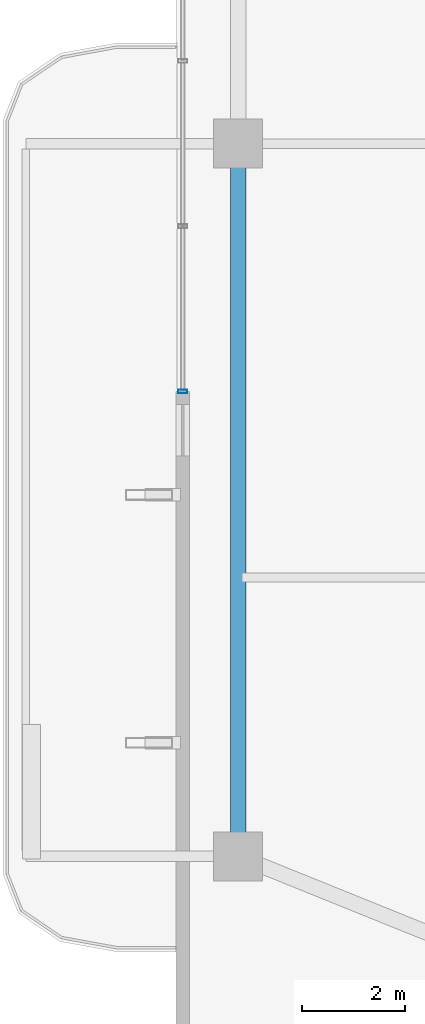
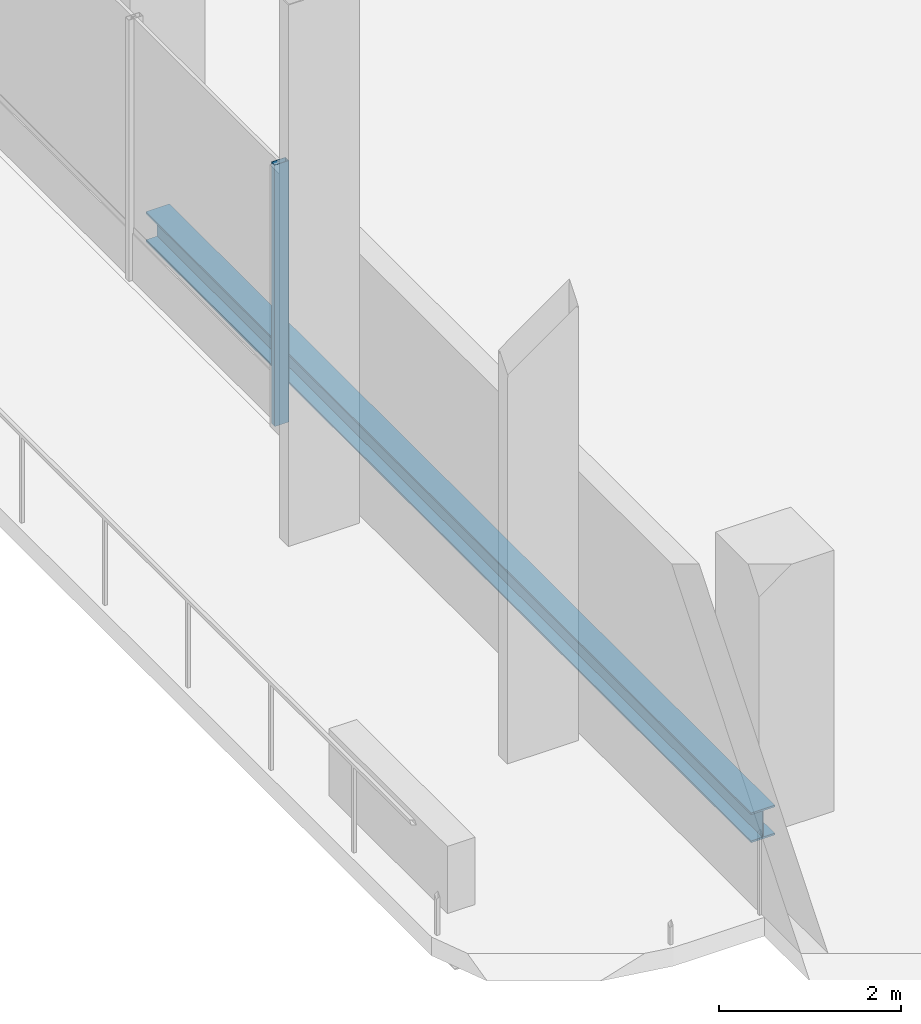
# One storey, part 4 of 25: 1 beam, 1 member, 1 element without a shape of its own.
"""IFC4 building model written with IfcOpenShell, lengths in metres."""

import ifcopenshell
import ifcopenshell.guid

model = None  # the IFC model being written
_history = None  # IfcOwnerHistory: only IFC2X3 demands one
_inside = {}  # id of a spatial element -> (the spatial element, [elements in it])
_under = {}  # id of a project, library or spatial element -> (it, [spatial elements below it])
_declared = {}  # id of a project -> (the project, [libraries it declares])
_typed = {}  # id of a type object -> (the type object, [elements of that type])
_made_of = {}  # id of a material, layer set ... -> (it, [elements and type objects made of it])


def new_model(schema):
    """Start an empty IFC model of exactly this schema.

    Asked for "IFC4X3", IfcOpenShell would pick the latest addendum, in which some entities
    have other attributes; the version numbers below select the first issue.
    IFC2X3 requires an IfcOwnerHistory on every rooted entity: one is made here for all.
    """
    global model, _history
    if schema == "IFC4X3":
        model = ifcopenshell.file(schema_version=(4, 3, 0, 0))
    else:
        model = ifcopenshell.file(schema=schema)
    _inside.clear()
    _under.clear()
    _declared.clear()
    _typed.clear()
    _made_of.clear()
    _history = None
    if model.schema == "IFC2X3":
        org = make("IfcOrganization", Name="unknown")
        user = make(
            "IfcPersonAndOrganization",
            ThePerson=make("IfcPerson", FamilyName="unknown"),
            TheOrganization=org,
        )
        app = make(
            "IfcApplication",
            ApplicationDeveloper=org,
            Version="unknown",
            ApplicationFullName="unknown",
            ApplicationIdentifier="unknown",
        )
        _history = make(
            "IfcOwnerHistory",
            OwningUser=user,
            OwningApplication=app,
            ChangeAction="ADDED",
            CreationDate=0,
        )
    return model


def make(cls, **values):
    """One entity of the class cls with the attributes given. An attribute that is None is left unset."""
    return model.create_entity(
        cls, **{name: value for name, value in values.items() if value is not None}
    )


def rooted(cls, **values):
    """An entity with a GlobalId (a new one), such as an element, a storey or a relation."""
    return make(cls, GlobalId=ifcopenshell.guid.new(), OwnerHistory=_history, **values)


def si_unit(unit_type, name, prefix=None):
    """IfcSIUnit, for example si_unit("LENGTHUNIT", "METRE", prefix="MILLI")."""
    return make("IfcSIUnit", UnitType=unit_type, Prefix=prefix, Name=name)


def assignment(units):
    """IfcUnitAssignment: the units of a project."""
    return None if units is None else make("IfcUnitAssignment", Units=units)


def point(xyz):
    """IfcCartesianPoint."""
    return None if xyz is None else make("IfcCartesianPoint", Coordinates=xyz)


def direction(xyz):
    """IfcDirection."""
    return None if xyz is None else make("IfcDirection", DirectionRatios=xyz)


def frame(location, z_axis=None, x_axis=None):
    """IfcAxis2Placement3D, a coordinate frame: its origin and axes. An axis left out is left unset."""
    return make(
        "IfcAxis2Placement3D",
        Location=point(location),
        Axis=direction(z_axis),
        RefDirection=direction(x_axis),
    )


def frame_2d(location, x_axis=None):
    """IfcAxis2Placement2D, a coordinate frame in the plane: its origin and x axis."""
    return make(
        "IfcAxis2Placement2D", Location=point(location), RefDirection=direction(x_axis)
    )


def origin():
    """The frame at (0, 0, 0) with its axes left unset."""
    return frame((0.0, 0.0, 0.0))


def origin_2d():
    """The frame at (0, 0) in the plane with its x axis left unset."""
    return frame_2d((0.0, 0.0))


def place(relative_to, where):
    """IfcLocalPlacement: puts the frame where relative to a parent placement (None: the world)."""
    return make(
        "IfcLocalPlacement", PlacementRelTo=relative_to, RelativePlacement=where
    )


def context(
    kind, dimensions, precision=None, world=None, true_north=None, identifier=None
):
    """IfcGeometricRepresentationContext, for example the 3D "Model" context."""
    return make(
        "IfcGeometricRepresentationContext",
        ContextIdentifier=identifier,
        ContextType=kind,
        CoordinateSpaceDimension=dimensions,
        Precision=precision,
        WorldCoordinateSystem=world,
        TrueNorth=true_north,
    )


def subcontext(parent, identifier, kind, view, scale=None):
    """IfcGeometricRepresentationSubContext, for example "Body" below "Model"."""
    return make(
        "IfcGeometricRepresentationSubContext",
        ContextIdentifier=identifier,
        ContextType=kind,
        ParentContext=parent,
        TargetScale=scale,
        TargetView=view,
    )


def project(units=None, contexts=None):
    """IfcProject with its units and contexts."""
    return rooted(
        "IfcProject",
        Name="project",
        RepresentationContexts=contexts,
        UnitsInContext=assignment(units),
    )


def spatial(cls, under=None, at=None, **own):
    """A site, building, storey or space (cls), placed at a placement, below another one or the project."""
    s = rooted(cls, ObjectPlacement=at, **own)
    if under is not None:
        _under.setdefault(under.id(), (under, []))[1].append(s)
    return s


def profile(cls, at=None, kind="AREA", **sizes):
    """A parametric profile (cls). Its sizes go by their IFC names, for example OverallWidth=200.0."""
    return make(cls, ProfileType=kind, Position=at, **sizes)


def hollow_rectangle(**sizes):
    """IfcRectangleHollowProfileDef."""
    return profile("IfcRectangleHollowProfileDef", **sizes)


def i_section(**sizes):
    """IfcIShapeProfileDef."""
    return profile("IfcIShapeProfileDef", **sizes)


def extrude(swept, where, along, depth):
    """IfcExtrudedAreaSolid: the profile swept, set in the frame where, extruded along a direction by depth."""
    return make(
        "IfcExtrudedAreaSolid",
        SweptArea=swept,
        Position=where,
        ExtrudedDirection=direction(along),
        Depth=depth,
    )


def shape(context_of_items, identifier, shape_type, items):
    """IfcShapeRepresentation: the items that make up one representation, for example the "Body"."""
    return make(
        "IfcShapeRepresentation",
        ContextOfItems=context_of_items,
        RepresentationIdentifier=identifier,
        RepresentationType=shape_type,
        Items=items,
    )


def material(Name=None, Category=None):
    """IfcMaterial."""
    return make("IfcMaterial", Name=Name, Category=Category)


def layer(
    of_material, thickness, ventilated=None, Name=None, Category=None, Priority=None
):
    """IfcMaterialLayer: one layer of a wall or slab, of a material (None: an air gap)."""
    return make(
        "IfcMaterialLayer",
        Material=of_material,
        LayerThickness=thickness,
        IsVentilated=ventilated,
        Name=Name,
        Category=Category,
        Priority=Priority,
    )


def layer_set(layers, Name=None):
    """IfcMaterialLayerSet."""
    return make("IfcMaterialLayerSet", MaterialLayers=layers, LayerSetName=Name)


def material_profile(
    of_material, cross_section, Name=None, Category=None, Priority=None
):
    """IfcMaterialProfile: a cross section and its material."""
    return make(
        "IfcMaterialProfile",
        Name=Name,
        Material=of_material,
        Profile=cross_section,
        Priority=Priority,
        Category=Category,
    )


def profile_set(profiles, Name=None, composite=None):
    """IfcMaterialProfileSet."""
    return make(
        "IfcMaterialProfileSet",
        Name=Name,
        MaterialProfiles=profiles,
        CompositeProfile=composite,
    )


def made_of(thing, what):
    """Note that an element or type object is made of a material, layer set ...; save() writes the relation."""
    if what is not None:
        _made_of.setdefault(what.id(), (what, []))[1].append(thing)
    return thing


def type_object(cls, material=None, **own):
    """A type object (cls), such as IfcWallType, which elements share."""
    return made_of(rooted(cls, **own), material)


def element(
    cls,
    number,
    at=None,
    inside=None,
    cuts=None,
    type_object=None,
    material=None,
    context=None,
    identifier="Body",
    shape_type=None,
    held_by="IfcProductDefinitionShape",
    body=None,
    shapes=None,
    **own,
):
    """One element of the class cls, such as IfcWall. Its Tag is "e" and its number.

    at: its placement. inside: the storey or other place that contains it. cuts: it is an
    opening in that element (IfcRelVoidsElement). A single representation is given by context,
    identifier, shape_type and body (its items); several are given by shapes. held_by: the class
    of the entity that holds the representations. save() writes the other relations.
    """
    e = rooted(cls, Tag="e%d" % number, ObjectPlacement=at, **own)
    if body is not None:
        shapes = [shape(context, identifier, shape_type, body)]
    if shapes is not None:
        e.Representation = make(held_by, Representations=shapes)
    if inside is not None:
        _inside.setdefault(inside.id(), (inside, []))[1].append(e)
    if cuts is not None:
        rooted(
            "IfcRelVoidsElement", RelatingBuildingElement=cuts, RelatedOpeningElement=e
        )
    if type_object is not None:
        _typed.setdefault(type_object.id(), (type_object, []))[1].append(e)
    return made_of(e, material)


def aggregate(whole, parts):
    """IfcRelAggregates: a whole, such as a stair, and the parts it consists of."""
    return rooted("IfcRelAggregates", RelatingObject=whole, RelatedObjects=parts)


def save(model, path):
    """Write the relations noted so far, then the file.

    IfcRelAggregates (storeys below a building ...), IfcRelContainedInSpatialStructure (elements
    in a storey), IfcRelDefinesByType, IfcRelAssociatesMaterial and IfcRelDeclares: one each for
    every whole, place, type object, material and project.
    """
    for whole, parts in _under.values():
        aggregate(whole, parts)
    for where, things in _inside.values():
        rooted(
            "IfcRelContainedInSpatialStructure",
            RelatedElements=things,
            RelatingStructure=where,
        )
    for kind, things in _typed.values():
        rooted("IfcRelDefinesByType", RelatedObjects=things, RelatingType=kind)
    for what, things in _made_of.values():
        rooted("IfcRelAssociatesMaterial", RelatedObjects=things, RelatingMaterial=what)
    for by, libraries in _declared.values():
        rooted("IfcRelDeclares", RelatingContext=by, RelatedDefinitions=libraries)
    model.write(path)


model = new_model("IFC4")

# Units and contexts
model_context = context("Model", 3, precision=1e-05, world=origin(), true_north=direction((0.0, 1.0)))
body_context = subcontext(model_context, "Body", "Model", "MODEL_VIEW")
ifc_project = project(units=[si_unit("LENGTHUNIT", "METRE"), si_unit("AREAUNIT", "SQUARE_METRE"), si_unit("VOLUMEUNIT", "CUBIC_METRE"), si_unit("PLANEANGLEUNIT", "RADIAN"), si_unit("MASSUNIT", "GRAM", prefix="KILO")], contexts=[model_context])

# Site, building, storey
site_placement = place(None, origin())
site = spatial("IfcSite", under=ifc_project, at=site_placement, CompositionType="ELEMENT")
building_placement = place(site_placement, origin())
building = spatial("IfcBuilding", under=site, at=building_placement, Name="Belovzor Exchange Tower", CompositionType="ELEMENT")
storey_placement = place(building_placement, frame((0.0, 0.0, 250.35009765625)))
storey = spatial("IfcBuildingStorey", under=building, at=storey_placement, Name="L62", CompositionType="ELEMENT", Elevation=250.35009765625)

# Curtain wall, member
ifc_material_1 = material(Name="Anodised Aluminium Framing", Category="aluminium")
ifc_layer = layer(ifc_material_1, 0.179931640625)
ifc_layer_set = layer_set([ifc_layer], Name="Anodised Aluminium Framing")
curtain_wall_type = type_object("IfcCurtainWallType", Name="Recessed Loggia Low-Iron Triple-Glazed Curtain Wall", PredefinedType="NOTDEFINED", material=ifc_layer_set)
curtain_wall_placement = place(storey_placement, origin())
curtain_wall = element("IfcCurtainWall", 1, at=curtain_wall_placement, inside=storey, type_object=curtain_wall_type, Name="CW3 Recessed Loggia Low-Iron Triple-Glazed Curtain Wall L62", PredefinedType="NOTDEFINED")
ifc_material_2 = material(Name="Steel S355", Category="steel")
ifc_material_profile_1 = material_profile(ifc_material_2, hollow_rectangle(XDim=0.074951171875, YDim=0.179931640625, WallThickness=0.0048828125, at=origin_2d()))
ifc_profile_set_1 = profile_set([ifc_material_profile_1], Name="Steel S355")
member_type = type_object("IfcMemberType", Name="Thermally Broken Curtain Wall Mullion 180x75", PredefinedType="MULLION", material=ifc_profile_set_1)
member_placement = place(storey_placement, frame((4.030029296875, 24.0, 0.0), z_axis=(0.0, 0.0, 1.0), x_axis=(0.0, 1.0, 0.0)))
member = element("IfcMember", 2, at=member_placement, type_object=member_type, Name="CW-M180 Curtain Wall Mullion 1", PredefinedType="MULLION", context=body_context, shape_type="SweptSolid", body=[
    extrude(hollow_rectangle(XDim=0.074951171875, YDim=0.179931640625, WallThickness=0.0048828125, at=origin_2d()), origin(), (0.0, 0.0, 1.0), 3.5),
])
aggregate(curtain_wall, [member])

# Beam
ifc_material_3 = material(Name="Steel S355", Category="steel")
ifc_material_profile_2 = material_profile(ifc_material_3, i_section(OverallWidth=0.300048828125, OverallDepth=0.39990234375, WebThickness=0.013427734375, FlangeThickness=0.02392578125, at=origin_2d()))
ifc_profile_set_2 = profile_set([ifc_material_profile_2], Name="Steel S355")
beam_type = type_object("IfcBeamType", Name="Zone 5 Primary Girder HEB 400", PredefinedType="BEAM", material=ifc_profile_set_2)
beam_placement = place(storey_placement, frame((5.10009765625, 28.5390625, -0.4501953125), z_axis=(0.0, -1.0, 0.0), x_axis=(1.0, 0.0, 0.0)))
element("IfcBeam", 3, at=beam_placement, inside=storey, type_object=beam_type, Name="FG-Z5 Zone 5 Primary Girder HEB 400", PredefinedType="BEAM", context=body_context, shape_type="SweptSolid", body=[
    extrude(i_section(OverallWidth=0.300048828125, OverallDepth=0.39990234375, WebThickness=0.013427734375, FlangeThickness=0.02392578125, at=origin_2d()), origin(), (0.0, 0.0, 1.0), 13.278076171875),
])

save(model, "model.ifc")
